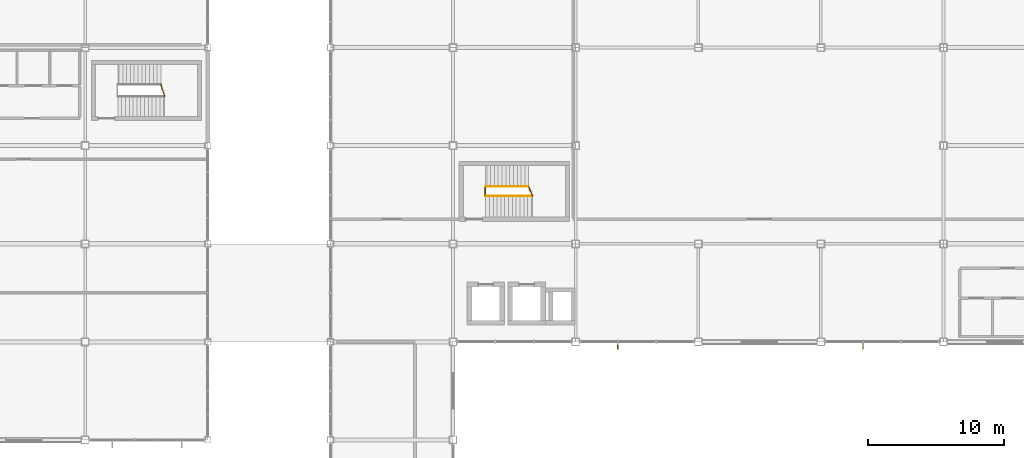
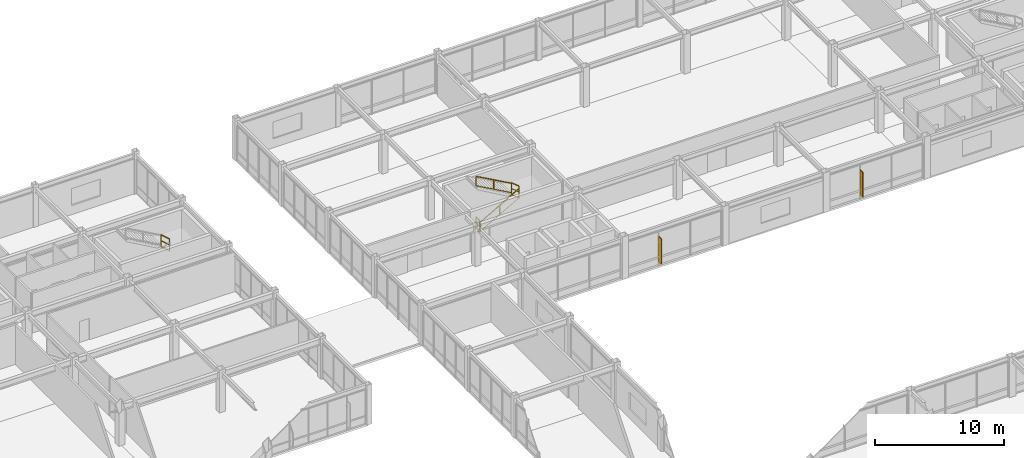
# One storey, part 111 of 113: 5 railings, 2 shading devices.
"""IFC4 building model written with IfcOpenShell, lengths in metres."""

from ifc_helpers import new_model, si_unit, direction, frame, origin, origin_2d, place, context, subcontext, project, spatial, rectangle, extrude, material, type_object, element, save


model = new_model("IFC4")

# Units and contexts
model_context = context("Model", 3, precision=1e-05, world=origin(), true_north=direction((0.0, 1.0)))
body_context = subcontext(model_context, "Body", "Model", "MODEL_VIEW")
ifc_project = project(units=[si_unit("LENGTHUNIT", "METRE"), si_unit("AREAUNIT", "SQUARE_METRE"), si_unit("VOLUMEUNIT", "CUBIC_METRE"), si_unit("PLANEANGLEUNIT", "RADIAN"), si_unit("MASSUNIT", "GRAM", prefix="KILO")], contexts=[model_context])

# Site, building, storey
site_placement = place(None, origin())
site = spatial("IfcSite", under=ifc_project, at=site_placement, CompositionType="ELEMENT")
building_placement = place(site_placement, origin())
building = spatial("IfcBuilding", under=site, at=building_placement, Name="Kazanami Central Library", CompositionType="ELEMENT")
storey_placement = place(building_placement, frame((0.0, 0.0, 8.800048828125)))
storey = spatial("IfcBuildingStorey", under=building, at=storey_placement, Name="L03", CompositionType="ELEMENT", Elevation=8.800048828125)

# Railings
ifc_material_1 = material(Name="Stainless Steel SUS304", Category="steel")
railing_type_1 = type_object("IfcRailingType", Name="RAL-GR-S1", PredefinedType="GUARDRAIL", material=ifc_material_1)
railing_1_placement = place(storey_placement, frame((56.360107421875, 75.570068359375, 0.0)))
element("IfcRailing", 1, at=railing_1_placement, inside=storey, type_object=railing_type_1, Name="Stair Well Guard ST-03 L03", PredefinedType="GUARDRAIL", context=body_context, shape_type="SweptSolid", body=[
    extrude(rectangle(XDim=0.0439453125, YDim=0.0439453125, at=origin_2d()), frame((0.0, 0.02587890625, 1.1279296875), z_axis=(0.0, 1.0, 0.0), x_axis=(-1.0, 0.0, 0.0)), (0.0, 0.0, 1.0), 0.5078125),
    extrude(rectangle(XDim=0.02392578125, YDim=0.02392578125, at=origin_2d()), frame((0.0, 0.02587890625, 0.015869140625), z_axis=(0.0, 1.0, 0.0), x_axis=(-1.0, 0.0, 0.0)), (0.0, 0.0, 1.0), 0.5078125),
    extrude(rectangle(XDim=0.02392578125, YDim=0.02392578125, at=origin_2d()), frame((0.0, 0.02587890625, 0.574951171875), z_axis=(0.0, 1.0, 0.0), x_axis=(-1.0, 0.0, 0.0)), (0.0, 0.0, 1.0), 0.5078125),
    extrude(rectangle(XDim=0.035888671875, YDim=0.035888671875, at=origin_2d()), origin(), (0.0, 0.0, 1.0), 1.10205078125),
    extrude(rectangle(XDim=0.035888671875, YDim=0.035888671875, at=origin_2d()), frame((0.0, 0.559814453125, 0.0)), (0.0, 0.0, 1.0), 1.10205078125),
])
railing_2_placement = place(storey_placement, frame((59.827880859375, 75.52001953125, 2.079833984375)))
element("IfcRailing", 2, at=railing_2_placement, inside=storey, type_object=railing_type_1, Name="Half-Landing Well Guard ST-03 L03", PredefinedType="GUARDRAIL", context=body_context, shape_type="SweptSolid", body=[
    extrude(rectangle(XDim=0.0439453125, YDim=0.0439453125, at=origin_2d()), frame((-0.01025390625, 0.02392578125, 1.1279296875), z_axis=(-0.390339903858, 0.920670820357, 0.0), x_axis=(-0.920670820357, -0.390339903858, 0.0)), (0.0, 0.0, 1.0), 0.664794921875),
    extrude(rectangle(XDim=0.02392578125, YDim=0.02392578125, at=origin_2d()), frame((-0.01025390625, 0.02392578125, 0.015869140625), z_axis=(-0.390339903858, 0.920670820357, 0.0), x_axis=(-0.920670820357, -0.390339903858, 0.0)), (0.0, 0.0, 1.0), 0.664794921875),
    extrude(rectangle(XDim=0.02392578125, YDim=0.02392578125, at=origin_2d()), frame((-0.01025390625, 0.02392578125, 0.574951171875), z_axis=(-0.390339903858, 0.920670820357, 0.0), x_axis=(-0.920670820357, -0.390339903858, 0.0)), (0.0, 0.0, 1.0), 0.664794921875),
    extrude(rectangle(XDim=0.035888671875, YDim=0.035888671875, at=origin_2d()), origin(), (0.0, 0.0, 1.0), 1.10205078125),
    extrude(rectangle(XDim=0.035888671875, YDim=0.035888671875, at=origin_2d()), frame((-0.27978515625, 0.659912109375, 0.0)), (0.0, 0.0, 1.0), 1.10205078125),
])
railing_3_placement = place(storey_placement, frame((32.827880859375, 82.820068359375, 2.079833984375)))
element("IfcRailing", 3, at=railing_3_placement, inside=storey, type_object=railing_type_1, Name="Half-Landing Well Guard ST-06 L03", PredefinedType="GUARDRAIL", context=body_context, shape_type="SweptSolid", body=[
    extrude(rectangle(XDim=0.0439453125, YDim=0.0439453125, at=origin_2d()), frame((-0.008056640625, 0.024658203125, 1.1279296875), z_axis=(-0.309415726998, 0.950926867791, 0.0), x_axis=(-0.950926867791, -0.309415726998, 0.0)), (0.0, 0.0, 1.0), 0.852294921875),
    extrude(rectangle(XDim=0.02392578125, YDim=0.02392578125, at=origin_2d()), frame((-0.008056640625, 0.024658203125, 0.015869140625), z_axis=(-0.309415726998, 0.950926867791, 0.0), x_axis=(-0.950926867791, -0.309415726998, 0.0)), (0.0, 0.0, 1.0), 0.852294921875),
    extrude(rectangle(XDim=0.02392578125, YDim=0.02392578125, at=origin_2d()), frame((-0.008056640625, 0.024658203125, 0.574951171875), z_axis=(-0.309415726998, 0.950926867791, 0.0), x_axis=(-0.950926867791, -0.309415726998, 0.0)), (0.0, 0.0, 1.0), 0.852294921875),
    extrude(rectangle(XDim=0.035888671875, YDim=0.035888671875, at=origin_2d()), origin(), (0.0, 0.0, 1.0), 1.10205078125),
    extrude(rectangle(XDim=0.035888671875, YDim=0.035888671875, at=origin_2d()), frame((-0.27978515625, 0.85986328125, 0.0)), (0.0, 0.0, 1.0), 1.10205078125),
])
railing_type_2 = type_object("IfcRailingType", Name="RAL-HR-01", PredefinedType="HANDRAIL", material=ifc_material_1)
railing_4_placement = place(storey_placement, frame((56.39404296875, 75.5, 0.159912109375)))
element("IfcRailing", 4, at=railing_4_placement, inside=storey, type_object=railing_type_2, Name="Stair Handrail ST-03 Flight 1 (L03)", PredefinedType="HANDRAIL", context=body_context, shape_type="SweptSolid", body=[
    extrude(rectangle(XDim=0.0439453125, YDim=0.0439453125, at=origin_2d()), frame((0.022705078125, 0.0, 0.890625), z_axis=(0.872833868075, 0.0, 0.488017457415), x_axis=(0.0, 1.0, 0.0)), (0.0, 0.0, 1.0), 3.882080078125),
    extrude(rectangle(XDim=0.02392578125, YDim=0.02392578125, at=origin_2d()), frame((0.022705078125, 0.0, 0.028564453125), z_axis=(0.872833868075, 0.0, 0.488017457415), x_axis=(0.0, 1.0, 0.0)), (0.0, 0.0, 1.0), 3.882080078125),
    extrude(rectangle(XDim=0.035888671875, YDim=0.035888671875, at=origin_2d()), origin(), (0.0, 0.0, 1.0), 0.85205078125),
    extrude(rectangle(XDim=0.035888671875, YDim=0.035888671875, at=origin_2d()), frame((1.716796875, 0.0, 0.9599609375)), (0.0, 0.0, 1.0), 0.85205078125),
    extrude(rectangle(XDim=0.035888671875, YDim=0.035888671875, at=origin_2d()), frame((3.433837890625, 0.0, 1.919921875)), (0.0, 0.0, 1.0), 0.85205078125),
])
railing_type_3 = type_object("IfcRailingType", Name="RAL-HR-02", PredefinedType="HANDRAIL", material=ifc_material_1)
railing_5_placement = place(storey_placement, frame((59.553955078125, 76.199951171875, 2.239990234375)))
element("IfcRailing", 5, at=railing_5_placement, inside=storey, type_object=railing_type_3, Name="Stair Handrail ST-03 Flight 2 (L03)", PredefinedType="HANDRAIL", context=body_context, shape_type="SweptSolid", body=[
    extrude(rectangle(XDim=0.0439453125, YDim=0.0439453125, at=origin_2d()), frame((-0.022705078125, 0.0, 0.91064453125), z_axis=(-0.873243856975, 0.0, 0.487283455758), x_axis=(0.0, -1.0, 0.0)), (0.0, 0.0, 1.0), 3.559814453125),
    extrude(rectangle(XDim=0.02392578125, YDim=0.02392578125, at=origin_2d()), frame((-0.022705078125, 0.0, 0.028564453125), z_axis=(-0.873243856975, 0.0, 0.487283455758), x_axis=(0.0, -1.0, 0.0)), (0.0, 0.0, 1.0), 3.559814453125),
    extrude(rectangle(XDim=0.035888671875, YDim=0.035888671875, at=origin_2d()), origin(), (0.0, 0.0, 1.0), 0.8720703125),
    extrude(rectangle(XDim=0.035888671875, YDim=0.035888671875, at=origin_2d()), frame((-1.5771484375, 0.0, 0.8798828125)), (0.0, 0.0, 1.0), 0.8720703125),
    extrude(rectangle(XDim=0.035888671875, YDim=0.035888671875, at=origin_2d()), frame((-3.154052734375, 0.0, 1.760009765625)), (0.0, 0.0, 1.0), 0.8720703125),
])

# Shading devices
ifc_material_2 = material(Name="Anodised Bronze-Grey Aluminium A6063-T5", Category="aluminium")
shading_device_type = type_object("IfcShadingDeviceType", Name="SHD-FIN-2", PredefinedType="USERDEFINED", material=ifc_material_2)
for number, where, z_axis, x_axis, name in (
    (6, (66.091552734375, 64.469970703125, 0.447509765625), (0.0, 0.0, 1.0), (1.0, 0.0, 0.0), "Vertical Solar Fin SF-02 L03 S-K-07.1"),
    (7, (84.091552734375, 64.469970703125, 0.447509765625), (0.0, 0.0, 1.0), (1.0, 0.0, 0.0), "Vertical Solar Fin SF-02 L03 S-K-09.1"),
):
    element("IfcShadingDevice", number, at=place(storey_placement, frame(where, z_axis=z_axis, x_axis=x_axis)), inside=storey, type_object=shading_device_type, Name=name, ObjectType="SOLAR FIN", PredefinedType="USERDEFINED", context=body_context, shape_type="SweptSolid", body=[
        extrude(rectangle(XDim=0.06494140625, YDim=0.419921875, at=origin_2d()), origin(), (0.0, 0.0, 1.0), 2.39990234375),
    ])

save(model, "model.ifc")
